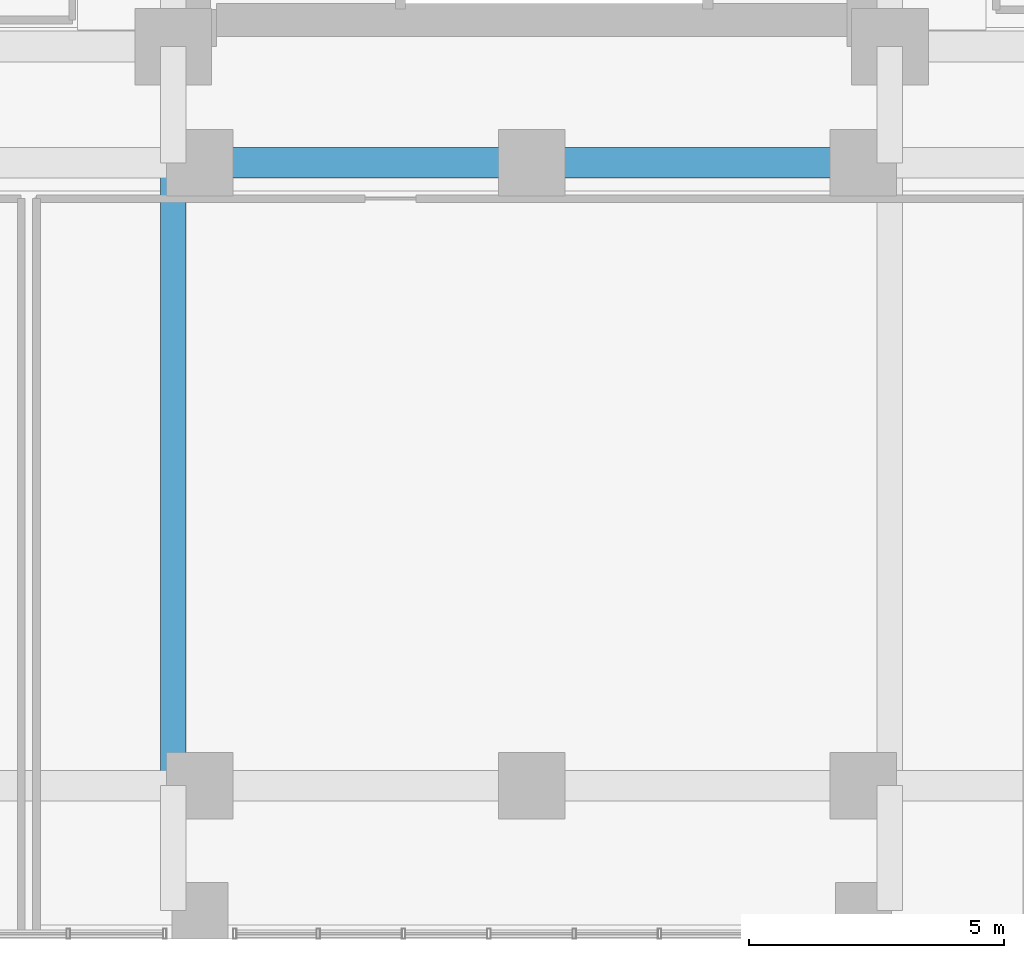
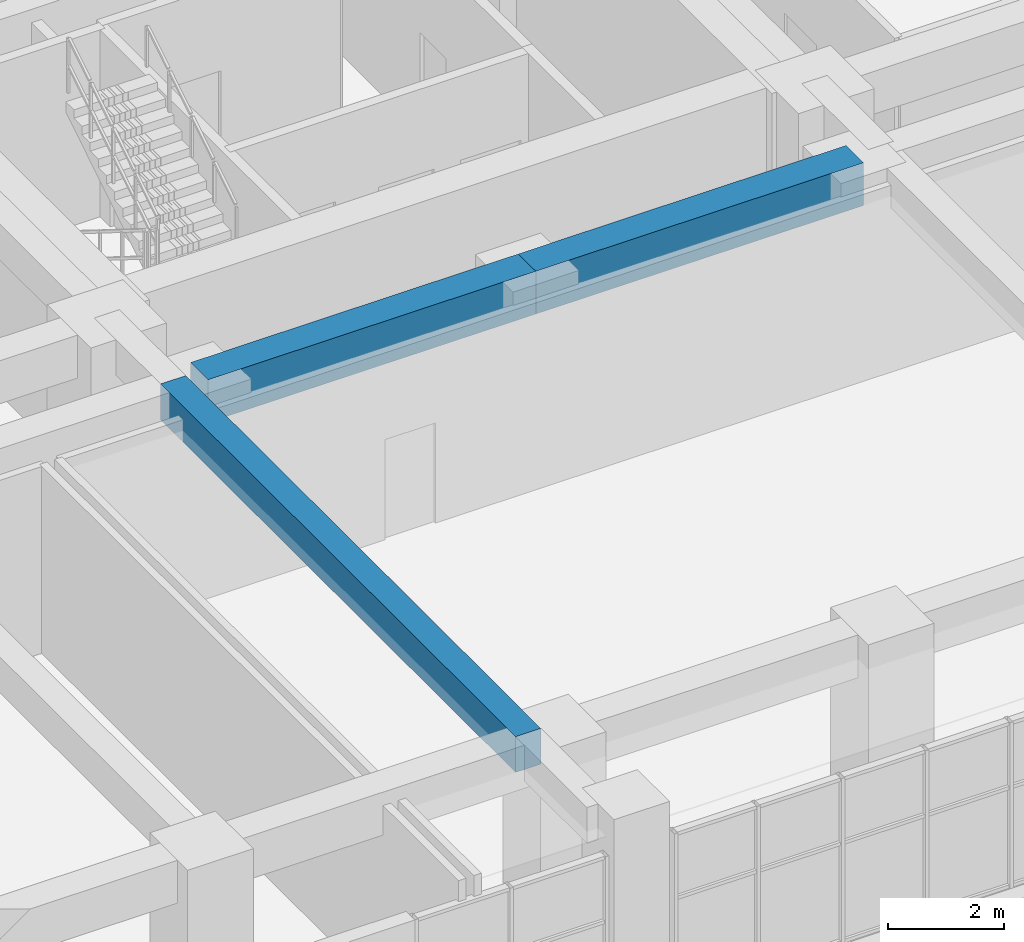
# One storey, part 5 of 24: 3 beams.
"""IFC4 building model written with IfcOpenShell, lengths in metres."""

from ifc_helpers import new_model, si_unit, direction, frame, origin, origin_2d, place, context, subcontext, project, spatial, rectangle, extrude, source, transform, mapped, material, material_profile, profile_set, type_object, element, save


model = new_model("IFC4")

# Units and contexts
model_context = context("Model", 3, precision=1e-05, world=origin(), true_north=direction((0.0, 1.0)))
body_context = subcontext(model_context, "Body", "Model", "MODEL_VIEW")
ifc_project = project(units=[si_unit("LENGTHUNIT", "METRE"), si_unit("AREAUNIT", "SQUARE_METRE"), si_unit("VOLUMEUNIT", "CUBIC_METRE"), si_unit("PLANEANGLEUNIT", "RADIAN"), si_unit("MASSUNIT", "GRAM", prefix="KILO")], contexts=[model_context])

# Site, building, storey
site_placement = place(None, origin())
site = spatial("IfcSite", under=ifc_project, at=site_placement, CompositionType="ELEMENT")
building_placement = place(site_placement, origin())
building = spatial("IfcBuilding", under=site, at=building_placement, Name="Saelheon Loggia Tower", CompositionType="ELEMENT")
storey_placement = place(building_placement, origin())
storey = spatial("IfcBuildingStorey", under=building, at=storey_placement, Name="L00", CompositionType="ELEMENT", Elevation=0.0)

# Beams
ifc_material_1 = material(Name="Concrete C50/60", Category="concrete")
ifc_material_profile_1 = material_profile(ifc_material_1, rectangle(XDim=0.60009765625, YDim=0.89990234375, at=origin_2d()), Name="RC-600x900")
ifc_profile_set_1 = profile_set([ifc_material_profile_1], Name="Concrete C50/60")
beam_type_1 = type_object("IfcBeamType", Name="Beam_MainGirder_RC600x900", PredefinedType="BEAM", material=ifc_profile_set_1)
shared_shape_1 = source(origin(), body_context, "Body", "SweptSolid", [
    extrude(rectangle(XDim=0.60009765625, YDim=0.89990234375, at=origin_2d()), origin(), (0.0, 0.0, 1.0), 6.5),
])
for number, where, z_axis, x_axis, name in (
    (1, (31.5, 15.199951171875, 3.75), (1.0, 0.0, 0.0), (0.0, 1.0, 0.0), "BM-L00-EW-15-4"),
    (2, (38.0, 15.199951171875, 3.75), (1.0, 0.0, 0.0), (0.0, 1.0, 0.0), "BM-L00-EW-15-5"),
):
    element("IfcBeam", number, at=place(storey_placement, frame(where, z_axis=z_axis, x_axis=x_axis)), inside=storey, type_object=beam_type_1, Name=name, PredefinedType="BEAM", context=body_context, shape_type="MappedRepresentation", body=[
        mapped(shared_shape_1, transform((0.0, 0.0, 0.0), scale=1.0)),
    ])
ifc_material_2 = material(Name="Concrete C45/55", Category="concrete")
ifc_material_profile_2 = material_profile(ifc_material_2, rectangle(XDim=0.5, YDim=0.75, at=origin_2d()), Name="RC-500x750")
ifc_profile_set_2 = profile_set([ifc_material_profile_2], Name="Concrete C45/55")
beam_type_2 = type_object("IfcBeamType", Name="Beam_FloorGirder_RC500x750", PredefinedType="BEAM", material=ifc_profile_set_2)
shared_shape_2 = source(origin(), body_context, "Body", "SweptSolid", [
    extrude(rectangle(XDim=0.5, YDim=0.75, at=origin_2d()), origin(), (0.0, 0.0, 1.0), 12.199951171875),
])
beam_placement = place(storey_placement, frame((30.97998046875, 3.0, 3.824951171875), z_axis=(0.0, 1.0, 0.0), x_axis=(-1.0, 0.0, 0.0)))
element("IfcBeam", 3, at=beam_placement, inside=storey, type_object=beam_type_2, Name="BM-L00-NS-30-2", PredefinedType="BEAM", context=body_context, shape_type="MappedRepresentation", body=[
    mapped(shared_shape_2, transform((0.0, 0.0, 0.0), scale=1.0)),
])

save(model, "model.ifc")
